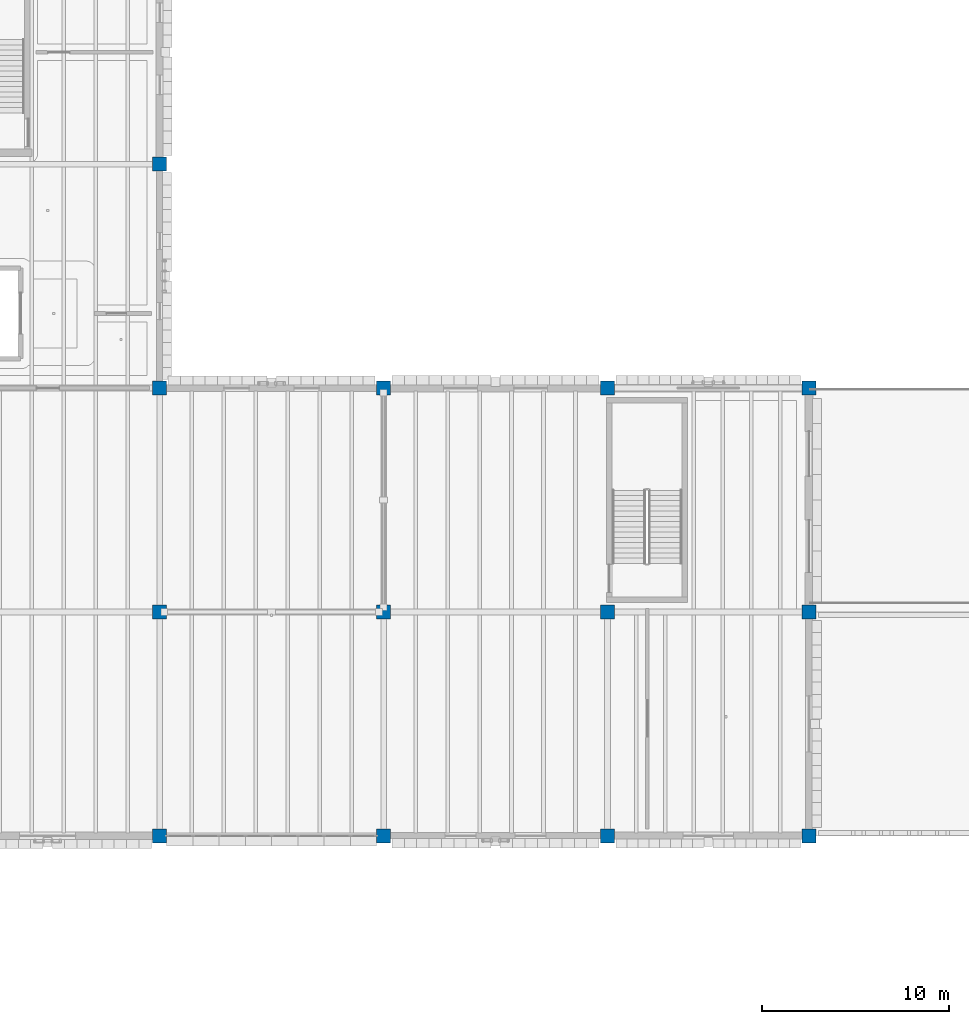
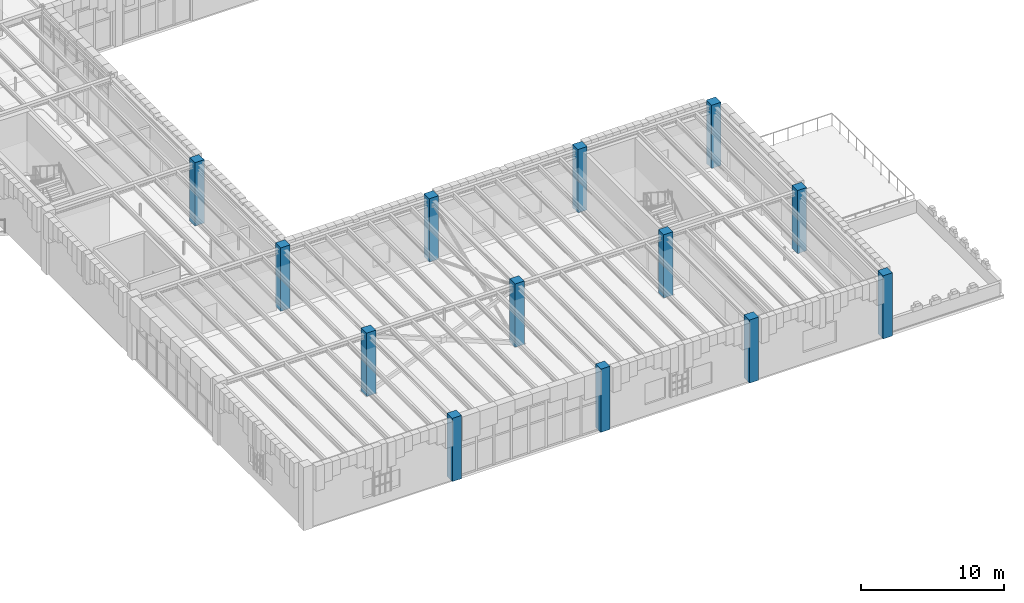
# One storey, part 12 of 103: 13 columns.
"""IFC4 building model written with IfcOpenShell, lengths in metres."""

from ifc_helpers import new_model, si_unit, direction, frame, origin, origin_2d, place, context, subcontext, project, spatial, rectangle, extrude, material, material_profile, profile_set, type_object, element, save


model = new_model("IFC4")

# Units and contexts
model_context = context("Model", 3, precision=1e-05, world=origin(), true_north=direction((0.0, 1.0)))
body_context = subcontext(model_context, "Body", "Model", "MODEL_VIEW")
ifc_project = project(units=[si_unit("LENGTHUNIT", "METRE"), si_unit("AREAUNIT", "SQUARE_METRE"), si_unit("VOLUMEUNIT", "CUBIC_METRE"), si_unit("PLANEANGLEUNIT", "RADIAN"), si_unit("MASSUNIT", "GRAM", prefix="KILO")], contexts=[model_context])

# Site, building, storey
site_placement = place(None, origin())
site = spatial("IfcSite", under=ifc_project, at=site_placement, CompositionType="ELEMENT")
building_placement = place(site_placement, origin())
building = spatial("IfcBuilding", under=site, at=building_placement, Name="Zlatogorsky Bluff Art Gallery", CompositionType="ELEMENT")
storey_placement = place(building_placement, origin())
storey = spatial("IfcBuildingStorey", under=building, at=storey_placement, Name="L00", CompositionType="ELEMENT", Elevation=0.0)

# Columns
ifc_material = material(Name="Concrete C35/45", Category="concrete")
ifc_material_profile = material_profile(ifc_material, rectangle(XDim=0.75, YDim=0.75, at=origin_2d()), Name="RC 750x750")
ifc_profile_set = profile_set([ifc_material_profile], Name="Concrete C35/45")
column_type = type_object("IfcColumnType", Name="Column CL-12 RC 750x750", PredefinedType="COLUMN", material=ifc_profile_set)
for number, where, z_axis, x_axis, name in (
    (1, (132.0, 26.39990234375, 0.0), (0.0, 0.0, 1.0), (1.0, 0.0, 0.0), "Column CL-12 L00 M4"),
    (2, (132.0, 38.39990234375, 0.0), (0.0, 0.0, 1.0), (1.0, 0.0, 0.0), "Column CL-12 L00 M5"),
    (3, (132.0, 50.39990234375, 0.0), (0.0, 0.0, 1.0), (1.0, 0.0, 0.0), "Column CL-12 L00 M6"),
    (4, (132.0, 62.39990234375, 0.0), (0.0, 0.0, 1.0), (1.0, 0.0, 0.0), "Column CL-12 L00 M7"),
    (5, (144.0, 26.39990234375, 0.0), (0.0, 0.0, 1.0), (1.0, 0.0, 0.0), "Column CL-12 L00 N4"),
    (6, (144.0, 38.39990234375, 0.0), (0.0, 0.0, 1.0), (1.0, 0.0, 0.0), "Column CL-12 L00 N5"),
    (7, (144.0, 50.39990234375, 0.0), (0.0, 0.0, 1.0), (1.0, 0.0, 0.0), "Column CL-12 L00 N6"),
    (8, (156.0, 26.39990234375, 0.0), (0.0, 0.0, 1.0), (1.0, 0.0, 0.0), "Column CL-12 L00 P4"),
    (9, (156.0, 38.39990234375, 0.0), (0.0, 0.0, 1.0), (1.0, 0.0, 0.0), "Column CL-12 L00 P5"),
    (10, (156.0, 50.39990234375, 0.0), (0.0, 0.0, 1.0), (1.0, 0.0, 0.0), "Column CL-12 L00 P6"),
    (11, (166.800048828125, 26.39990234375, 0.0), (0.0, 0.0, 1.0), (1.0, 0.0, 0.0), "Column CL-12 L00 Q4"),
    (12, (166.800048828125, 38.39990234375, 0.0), (0.0, 0.0, 1.0), (1.0, 0.0, 0.0), "Column CL-12 L00 Q5"),
    (13, (166.800048828125, 50.39990234375, 0.0), (0.0, 0.0, 1.0), (1.0, 0.0, 0.0), "Column CL-12 L00 Q6"),
):
    element("IfcColumn", number, at=place(storey_placement, frame(where, z_axis=z_axis, x_axis=x_axis)), inside=storey, type_object=column_type, Name=name, PredefinedType="COLUMN", context=body_context, shape_type="SweptSolid", body=[
        extrude(rectangle(XDim=0.75, YDim=0.75, at=origin_2d()), origin(), (0.0, 0.0, 1.0), 5.39990234375),
    ])

save(model, "model.ifc")
